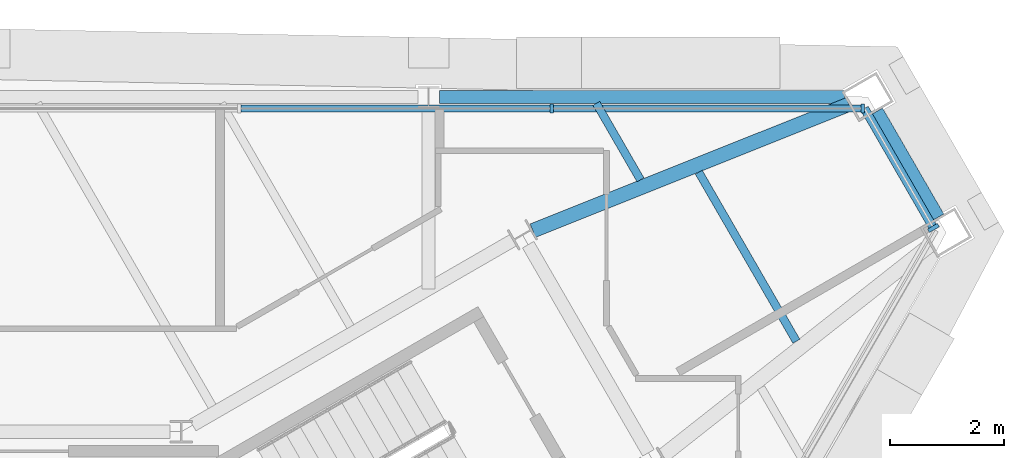
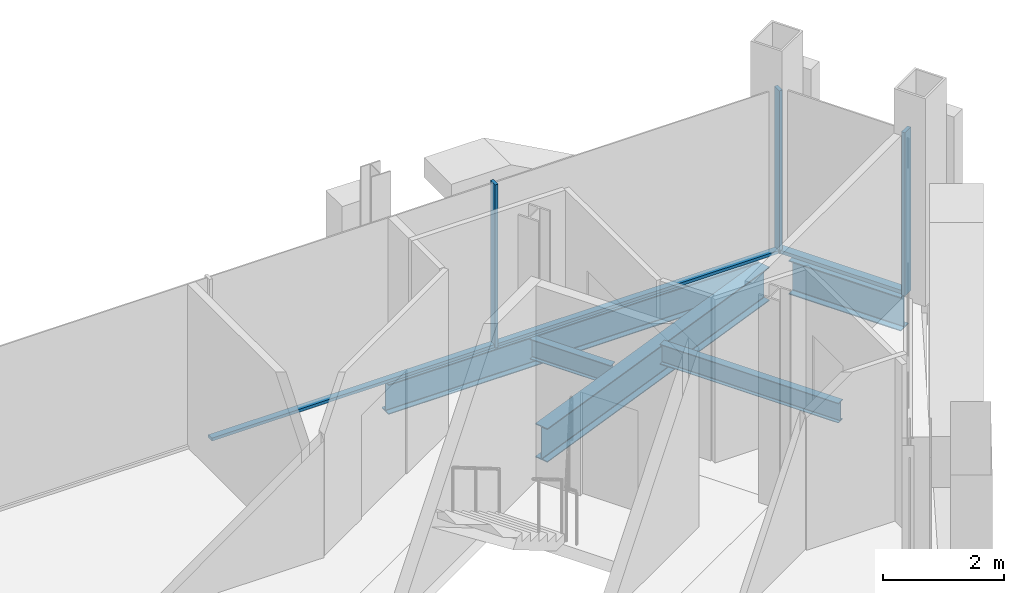
# One storey, part 7 of 13: 6 members, 5 beams, 2 elements without a shape of their own.
"""IFC4 building model written with IfcOpenShell, lengths in metres."""

from ifc_helpers import new_model, si_unit, direction, frame, origin, origin_2d, place, context, subcontext, project, spatial, rectangle, i_section, extrude, material, material_profile, profile_set, type_object, element, aggregate, save


model = new_model("IFC4")

# Units and contexts
model_context = context("Model", 3, precision=1e-05, world=origin(), true_north=direction((0.0, 1.0)))
body_context = subcontext(model_context, "Body", "Model", "MODEL_VIEW")
ifc_project = project(units=[si_unit("LENGTHUNIT", "METRE"), si_unit("AREAUNIT", "SQUARE_METRE"), si_unit("VOLUMEUNIT", "CUBIC_METRE"), si_unit("PLANEANGLEUNIT", "RADIAN"), si_unit("MASSUNIT", "GRAM", prefix="KILO")], contexts=[model_context])

# Site, building, storey
site_placement = place(None, origin())
site = spatial("IfcSite", under=ifc_project, at=site_placement, CompositionType="ELEMENT")
building_placement = place(site_placement, origin())
building = spatial("IfcBuilding", under=site, at=building_placement, Name="Verrane Prism Tower", CompositionType="ELEMENT")
storey_placement = place(building_placement, frame((0.0, 0.0, 325.199951171875)))
storey = spatial("IfcBuildingStorey", under=building, at=storey_placement, Name="L82", CompositionType="ELEMENT", Elevation=325.199951171875)

# Beams
ifc_material_1 = material(Name="Steel A992", Category="steel")
ifc_material_profile_1 = material_profile(ifc_material_1, i_section(OverallWidth=0.25390625, OverallDepth=0.683349609375, WebThickness=0.012451171875, FlangeThickness=0.01904296875, FilletRadius=0.01513671875, at=origin_2d()), Name="W27x94")
ifc_profile_set_1 = profile_set([ifc_material_profile_1], Name="Steel A992")
beam_type_1 = type_object("IfcBeamType", Name="Chamfer spandrel beam W27x94", PredefinedType="SPANDREL", material=ifc_profile_set_1)
beam_1_placement = place(storey_placement, frame((20.389892578125, 10.539794921875, -0.50146484375), z_axis=(-0.500486898547, 0.865744110221, 0.0), x_axis=(-0.865744110221, -0.500486898547, 0.0)))
element("IfcBeam", 1, at=beam_1_placement, inside=storey, type_object=beam_type_1, Name="Chamfer spandrel beam L82", PredefinedType="SPANDREL", context=body_context, shape_type="SweptSolid", body=[
    extrude(i_section(OverallWidth=0.25390625, OverallDepth=0.683349609375, WebThickness=0.012451171875, FlangeThickness=0.01904296875, FilletRadius=0.01513671875, at=origin_2d()), origin(), (0.0, 0.0, 1.0), 2.137451171875),
])
ifc_material_2 = material(Name="Steel A992", Category="steel")
ifc_material_profile_2 = material_profile(ifc_material_2, i_section(OverallWidth=0.25390625, OverallDepth=0.683349609375, WebThickness=0.012451171875, FlangeThickness=0.01904296875, FilletRadius=0.01513671875, at=origin_2d()), Name="W27x94")
ifc_profile_set_2 = profile_set([ifc_material_profile_2], Name="Steel A992")
beam_type_2 = type_object("IfcBeamType", Name="Corner girder W27x94", PredefinedType="BEAM", material=ifc_profile_set_2)
beam_2_placement = place(storey_placement, frame((18.841552734375, 12.518798828125, -0.5615234375), z_axis=(-0.928587103525, -0.371114525675, 0.0), x_axis=(0.371114525675, -0.928587103525, 0.0)))
element("IfcBeam", 2, at=beam_2_placement, inside=storey, type_object=beam_type_2, Name="Corner girder L82", PredefinedType="BEAM", context=body_context, shape_type="SweptSolid", body=[
    extrude(i_section(OverallWidth=0.25390625, OverallDepth=0.683349609375, WebThickness=0.012451171875, FlangeThickness=0.01904296875, FilletRadius=0.01513671875, at=origin_2d()), origin(), (0.0, 0.0, 1.0), 5.945068359375),
])
ifc_material_3 = material(Name="Steel A992", Category="steel")
ifc_material_profile_3 = material_profile(ifc_material_3, i_section(OverallWidth=0.140380859375, OverallDepth=0.40380859375, WebThickness=0.007080078125, FlangeThickness=0.01123046875, FilletRadius=0.01025390625, at=origin_2d()), Name="W16x31")
ifc_profile_set_3 = profile_set([ifc_material_profile_3], Name="Steel A992")
beam_type_3 = type_object("IfcBeamType", Name="Floor beam W16x31", PredefinedType="BEAM", material=ifc_profile_set_3)
beam_3_placement = place(storey_placement, frame((15.201904296875, 11.20068359375, -0.36181640625), z_axis=(-0.50005597947, 0.86599308161, 0.0), x_axis=(-0.86599308161, -0.50005597947, 0.0)))
element("IfcBeam", 3, at=beam_3_placement, inside=storey, type_object=beam_type_3, Name="Floor beam L82", PredefinedType="BEAM", context=body_context, shape_type="SweptSolid", body=[
    extrude(i_section(OverallWidth=0.140380859375, OverallDepth=0.40380859375, WebThickness=0.007080078125, FlangeThickness=0.01123046875, FilletRadius=0.01025390625, at=origin_2d()), origin(), (0.0, 0.0, 1.0), 1.541748046875),
])
beam_4_placement = place(storey_placement, frame((17.925048828125, 8.380615234375, -0.36181640625), z_axis=(-0.500042619005, 0.866000796292, 0.0), x_axis=(-0.866000796292, -0.500042619005, 0.0)))
element("IfcBeam", 4, at=beam_4_placement, inside=storey, type_object=beam_type_3, Name="Floor beam L82", PredefinedType="BEAM", context=body_context, shape_type="SweptSolid", body=[
    extrude(i_section(OverallWidth=0.140380859375, OverallDepth=0.40380859375, WebThickness=0.007080078125, FlangeThickness=0.01123046875, FilletRadius=0.01025390625, at=origin_2d()), origin(), (0.0, 0.0, 1.0), 3.410400390625),
])

# Curtain wall, members
ifc_material_4 = material(Name="Aluminium framed insulated glazing", Category="aluminium")
curtain_wall_type_1 = type_object("IfcCurtainWallType", Name="Curtain wall CW-B 5600 module", PredefinedType="NOTDEFINED", material=ifc_material_4)
curtain_wall_1_placement = place(storey_placement, origin())
curtain_wall_1 = element("IfcCurtainWall", 5, at=curtain_wall_1_placement, inside=storey, type_object=curtain_wall_type_1, Name="Glazed curtain wall north face L82", PredefinedType="NOTDEFINED")
ifc_material_5 = material(Name="Aluminium alloy 6063-T6", Category="aluminium")
ifc_material_profile_4 = material_profile(ifc_material_5, rectangle(XDim=0.159912109375, YDim=0.06005859375, at=origin_2d()), Name="Mullion 60x160 aluminium")
ifc_profile_set_4 = profile_set([ifc_material_profile_4], Name="Aluminium alloy 6063-T6")
member_type_1 = type_object("IfcMemberType", Name="Mullion 60x160 aluminium", PredefinedType="MULLION", material=ifc_profile_set_4)
member_1_placement = place(storey_placement, frame((19.083984375, 12.447265625, 0.0), z_axis=(0.0, 0.0, 1.0), x_axis=(0.0, -1.0, 0.0)))
member_1 = element("IfcMember", 6, at=member_1_placement, type_object=member_type_1, Name="CW82.2 mullion 1", PredefinedType="MULLION", context=body_context, shape_type="SweptSolid", body=[
    extrude(rectangle(XDim=0.159912109375, YDim=0.06005859375, at=origin_2d()), origin(), (0.0, 0.0, 1.0), 3.296630859375),
])
member_2_placement = place(storey_placement, frame((13.65283203125, 12.447265625, 0.0), z_axis=(0.0, 0.0, 1.0), x_axis=(0.0, -1.0, 0.0)))
member_2 = element("IfcMember", 7, at=member_2_placement, type_object=member_type_1, Name="CW82.2 mullion 2", PredefinedType="MULLION", context=body_context, shape_type="SweptSolid", body=[
    extrude(rectangle(XDim=0.159912109375, YDim=0.06005859375, at=origin_2d()), origin(), (0.0, 0.0, 1.0), 3.296630859375),
])

# Curtain wall, member
ifc_material_6 = material(Name="Aluminium framed insulated glazing", Category="aluminium")
curtain_wall_type_2 = type_object("IfcCurtainWallType", Name="Curtain wall CW-A 8400 module", PredefinedType="NOTDEFINED", material=ifc_material_6)
curtain_wall_2_placement = place(storey_placement, origin())
curtain_wall_2 = element("IfcCurtainWall", 8, at=curtain_wall_2_placement, inside=storey, type_object=curtain_wall_type_2, Name="Glazed curtain wall north-east corner L82", PredefinedType="NOTDEFINED")
ifc_material_7 = material(Name="Aluminium alloy 6063-T6", Category="aluminium")
ifc_material_profile_5 = material_profile(ifc_material_7, rectangle(XDim=0.199951171875, YDim=0.070068359375, at=origin_2d()), Name="Mullion 70x200 aluminium")
ifc_profile_set_5 = profile_set([ifc_material_profile_5], Name="Aluminium alloy 6063-T6")
member_type_2 = type_object("IfcMemberType", Name="Mullion 70x200 aluminium", PredefinedType="MULLION", material=ifc_profile_set_5)
member_3_placement = place(storey_placement, frame((20.319091796875, 10.35986328125, 0.0), z_axis=(0.0, 0.0, 1.0), x_axis=(-0.866024860131, -0.500000941634, 0.0)))
member_3 = element("IfcMember", 9, at=member_3_placement, type_object=member_type_2, Name="CW82.1 mullion 1", PredefinedType="MULLION", context=body_context, shape_type="SweptSolid", body=[
    extrude(rectangle(XDim=0.199951171875, YDim=0.070068359375, at=origin_2d()), origin(), (0.0, 0.0, 1.0), 3.296630859375),
])

# Beam
ifc_material_8 = material(Name="Steel A992", Category="steel")
ifc_material_profile_6 = material_profile(ifc_material_8, i_section(OverallWidth=0.228271484375, OverallDepth=0.607177734375, WebThickness=0.01123046875, FlangeThickness=0.017333984375, FilletRadius=0.0126953125, at=origin_2d()), Name="W24x76")
ifc_profile_set_6 = profile_set([ifc_material_profile_6], Name="Steel A992")
beam_type_4 = type_object("IfcBeamType", Name="Spandrel beam W24x76", PredefinedType="SPANDREL", material=ifc_profile_set_6)
beam_5_placement = place(storey_placement, frame((18.765869140625, 12.64990234375, -0.46337890625), z_axis=(-1.0, 0.0, 0.0), x_axis=(0.0, -1.0, 0.0)))
element("IfcBeam", 10, at=beam_5_placement, inside=storey, type_object=beam_type_4, Name="Spandrel beam L82", PredefinedType="SPANDREL", context=body_context, shape_type="SweptSolid", body=[
    extrude(i_section(OverallWidth=0.228271484375, OverallDepth=0.607177734375, WebThickness=0.01123046875, FlangeThickness=0.017333984375, FilletRadius=0.0126953125, at=origin_2d()), origin(), (0.0, 0.0, 1.0), 7.0791015625),
])

# Member
ifc_material_9 = material(Name="Aluminium alloy 6063-T6", Category="aluminium")
ifc_material_profile_7 = material_profile(ifc_material_9, rectangle(XDim=0.1201171875, YDim=0.06005859375, at=origin_2d()), Name="Transom 60x120 aluminium")
ifc_profile_set_7 = profile_set([ifc_material_profile_7], Name="Aluminium alloy 6063-T6")
member_type_3 = type_object("IfcMemberType", Name="Transom 60x120 aluminium", PredefinedType="USERDEFINED", material=ifc_profile_set_7)
member_4_placement = place(storey_placement, frame((19.053955078125, 12.447265625, 0.030029296875), z_axis=(-1.0, 0.0, 0.0), x_axis=(0.0, -1.0, 0.0)))
member_4 = element("IfcMember", 11, at=member_4_placement, type_object=member_type_3, Name="CW82.2 transom 1", ObjectType="TRANSOM", PredefinedType="USERDEFINED", context=body_context, shape_type="SweptSolid", body=[
    extrude(rectangle(XDim=0.1201171875, YDim=0.06005859375, at=origin_2d()), origin(), (0.0, 0.0, 1.0), 5.37109375),
])

member_5_placement = place(storey_placement, frame((13.622802734375, 12.447265625, 0.030029296875), z_axis=(-1.0, 0.0, 0.0), x_axis=(0.0, -1.0, 0.0)))
member_5 = element("IfcMember", 12, at=member_5_placement, type_object=member_type_3, Name="CW82.2 transom 2", ObjectType="TRANSOM", PredefinedType="USERDEFINED", context=body_context, shape_type="SweptSolid", body=[
    extrude(rectangle(XDim=0.1201171875, YDim=0.06005859375, at=origin_2d()), origin(), (0.0, 0.0, 1.0), 5.401123046875),
])

aggregate(curtain_wall_1, [member_1, member_2, member_4, member_5])

ifc_material_10 = material(Name="Aluminium alloy 6063-T6", Category="aluminium")
ifc_material_profile_8 = material_profile(ifc_material_10, rectangle(XDim=0.14990234375, YDim=0.070068359375, at=origin_2d()), Name="Transom 70x150 aluminium")
ifc_profile_set_8 = profile_set([ifc_material_profile_8], Name="Aluminium alloy 6063-T6")
member_type_4 = type_object("IfcMemberType", Name="Transom 70x150 aluminium", PredefinedType="USERDEFINED", material=ifc_profile_set_8)
member_6_placement = place(storey_placement, frame((20.301513671875, 10.39013671875, 0.03515625), z_axis=(-0.499941923165, 0.866058931864, 0.0), x_axis=(-0.866058931864, -0.499941923165, 0.0)))
member_6 = element("IfcMember", 13, at=member_6_placement, type_object=member_type_4, Name="CW82.1 transom 1", ObjectType="TRANSOM", PredefinedType="USERDEFINED", context=body_context, shape_type="SweptSolid", body=[
    extrude(rectangle(XDim=0.14990234375, YDim=0.070068359375, at=origin_2d()), origin(), (0.0, 0.0, 1.0), 2.375244140625),
])

aggregate(curtain_wall_2, [member_3, member_6])

save(model, "model.ifc")
